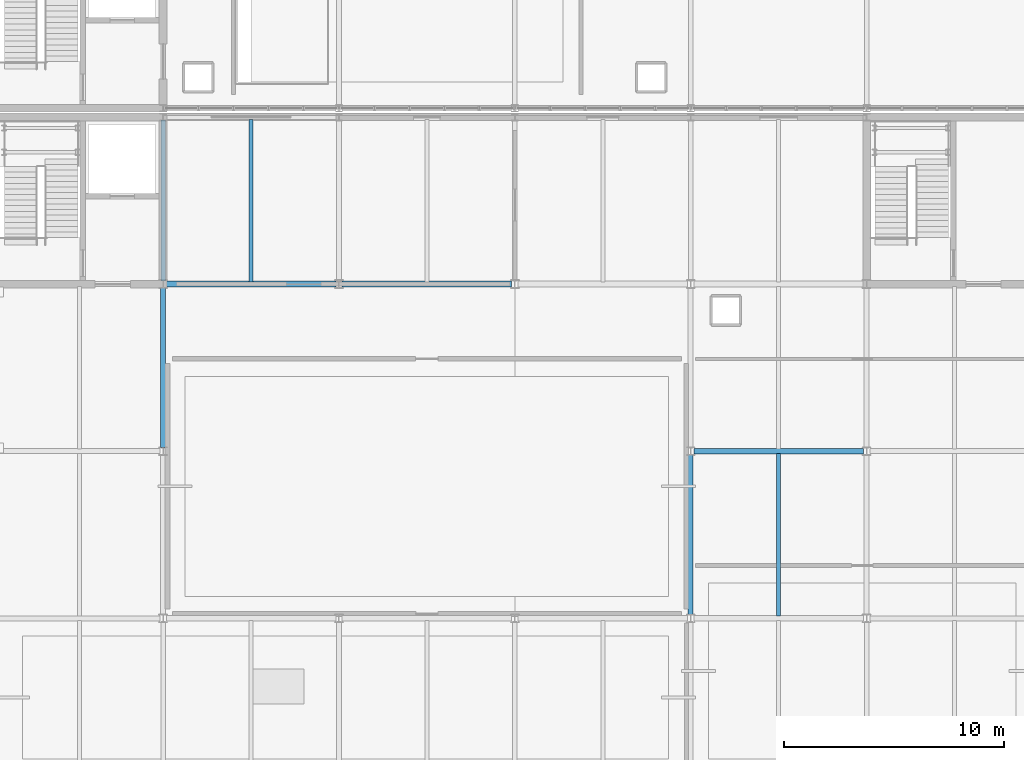
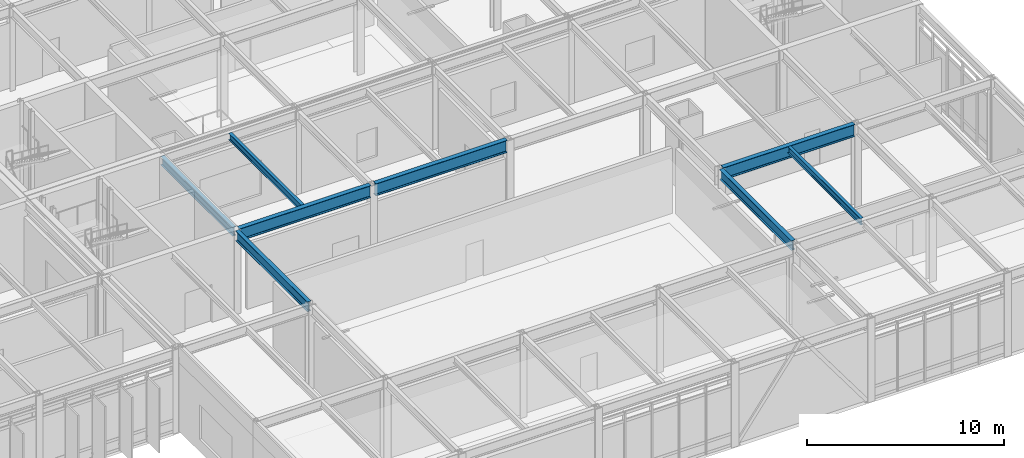
# One storey, part 54 of 94: 8 beams.
"""IFC4 building model written with IfcOpenShell, lengths in metres."""

from ifc_helpers import new_model, si_unit, direction, frame, origin, origin_2d, place, context, subcontext, project, spatial, i_section, extrude, material, material_profile, profile_set, type_object, element, save


model = new_model("IFC4")

# Units and contexts
model_context = context("Model", 3, precision=1e-05, world=origin(), true_north=direction((0.0, 1.0)))
body_context = subcontext(model_context, "Body", "Model", "MODEL_VIEW")
ifc_project = project(units=[si_unit("LENGTHUNIT", "METRE"), si_unit("AREAUNIT", "SQUARE_METRE"), si_unit("VOLUMEUNIT", "CUBIC_METRE"), si_unit("PLANEANGLEUNIT", "RADIAN"), si_unit("MASSUNIT", "GRAM", prefix="KILO")], contexts=[model_context])

# Site, building, storey
site_placement = place(None, origin())
site = spatial("IfcSite", under=ifc_project, at=site_placement, CompositionType="ELEMENT")
building_placement = place(site_placement, origin())
building = spatial("IfcBuilding", under=site, at=building_placement, Name="Zulena Civic Courthouse", CompositionType="ELEMENT")
storey_placement = place(building_placement, frame((0.0, 0.0, 5.39990234375)))
storey = spatial("IfcBuildingStorey", under=building, at=storey_placement, Name="L01", CompositionType="ELEMENT", Elevation=5.39990234375)

# Beams
ifc_material = material(Name="Steel ASTM A992 Grade 50", Category="steel")
ifc_material_profile_1 = material_profile(ifc_material, i_section(OverallWidth=0.22802734375, OverallDepth=0.60693359375, WebThickness=0.01123046875, FlangeThickness=0.017333984375, FilletRadius=0.0126953125, at=origin_2d()), Name="W24X76")
ifc_profile_set_1 = profile_set([ifc_material_profile_1], Name="Steel ASTM A992 Grade 50")
beam_type_1 = type_object("IfcBeamType", Name="Girder_W24X76", PredefinedType="BEAM", material=ifc_profile_set_1)
beam_1_placement = place(storey_placement, frame((132.0, 15.344970703125, 4.881591796875), z_axis=(0.0, 1.0, 0.0), x_axis=(-1.0, 0.0, 0.0)))
element("IfcBeam", 1, at=beam_1_placement, inside=storey, type_object=beam_type_1, Name="beam:Y:V1:L01:132.0:15.2_22.8", PredefinedType="BEAM", context=body_context, shape_type="SweptSolid", body=[
    extrude(i_section(OverallWidth=0.22802734375, OverallDepth=0.60693359375, WebThickness=0.01123046875, FlangeThickness=0.017333984375, FilletRadius=0.0126953125, at=origin_2d()), origin(), (0.0, 0.0, 1.0), 7.31005859375),
])
beam_2_placement = place(storey_placement, frame((156.0, 7.7451171875, 4.881591796875), z_axis=(0.0, 1.0, 0.0), x_axis=(-1.0, 0.0, 0.0)))
element("IfcBeam", 2, at=beam_2_placement, inside=storey, type_object=beam_type_1, Name="beam:Y:V1:L01:156.0:7.6_15.2", PredefinedType="BEAM", context=body_context, shape_type="SweptSolid", body=[
    extrude(i_section(OverallWidth=0.22802734375, OverallDepth=0.60693359375, WebThickness=0.01123046875, FlangeThickness=0.017333984375, FilletRadius=0.0126953125, at=origin_2d()), origin(), (0.0, 0.0, 1.0), 7.309814453125),
])
ifc_material_profile_2 = material_profile(ifc_material, i_section(OverallWidth=0.26708984375, OverallDepth=0.761962890625, WebThickness=0.014404296875, FlangeThickness=0.021484375, FilletRadius=0.0166015625, at=origin_2d()), Name="W30X116")
ifc_profile_set_2 = profile_set([ifc_material_profile_2], Name="Steel ASTM A992 Grade 50")
beam_type_2 = type_object("IfcBeamType", Name="Girder_W30X116", PredefinedType="BEAM", material=ifc_profile_set_2)
for number, where, z_axis, x_axis, name in (
    (3, (156.14501953125, 15.199951171875, 4.80419921875), (1.0, 0.0, 0.0), (0.0, 1.0, 0.0), "beam:X:V1:L01:15.2:156.0_164.0"),
    (4, (132.14501953125, 22.800048828125, 4.80419921875), (1.0, 0.0, 0.0), (0.0, 1.0, 0.0), "beam:X:V1:L01:22.8:132.0_140.0"),
    (5, (140.14501953125, 22.800048828125, 4.80419921875), (1.0, 0.0, 0.0), (0.0, 1.0, 0.0), "beam:X:V1:L01:22.8:140.0_148.0"),
):
    element("IfcBeam", number, at=place(storey_placement, frame(where, z_axis=z_axis, x_axis=x_axis)), inside=storey, type_object=beam_type_2, Name=name, PredefinedType="BEAM", context=body_context, shape_type="SweptSolid", body=[
        extrude(i_section(OverallWidth=0.26708984375, OverallDepth=0.761962890625, WebThickness=0.014404296875, FlangeThickness=0.021484375, FilletRadius=0.0166015625, at=origin_2d()), origin(), (0.0, 0.0, 1.0), 7.7099609375),
    ])
ifc_material_profile_3 = material_profile(ifc_material, i_section(OverallWidth=0.180908203125, OverallDepth=0.4169921875, WebThickness=0.010986328125, FlangeThickness=0.018310546875, FilletRadius=0.01025390625, at=origin_2d()), Name="W16X57")
ifc_profile_set_3 = profile_set([ifc_material_profile_3], Name="Steel ASTM A992 Grade 50")
beam_type_3 = type_object("IfcBeamType", Name="Joist_W16X57", PredefinedType="JOIST", material=ifc_profile_set_3)
for number, where, z_axis, x_axis, name in (
    (6, (136.0, 22.905029296875, 4.9765625), (0.0, 1.0, 0.0), (-1.0, 0.0, 0.0), "joist:V1:L01:136.00:22.8_30.4"),
    (7, (160.0, 7.705078125, 4.9765625), (0.0, 1.0, 0.0), (-1.0, 0.0, 0.0), "joist:V1:L01:160.00:7.6_15.2"),
):
    element("IfcBeam", number, at=place(storey_placement, frame(where, z_axis=z_axis, x_axis=x_axis)), inside=storey, type_object=beam_type_3, Name=name, PredefinedType="JOIST", context=body_context, shape_type="SweptSolid", body=[
        extrude(i_section(OverallWidth=0.180908203125, OverallDepth=0.4169921875, WebThickness=0.010986328125, FlangeThickness=0.018310546875, FilletRadius=0.01025390625, at=origin_2d()), origin(), (0.0, 0.0, 1.0), 7.389892578125),
    ])
ifc_material_profile_4 = material_profile(ifc_material, i_section(OverallWidth=0.2099609375, OverallDepth=0.537109375, WebThickness=0.010986328125, FlangeThickness=0.017333984375, FilletRadius=0.0126953125, at=origin_2d()), Name="W21X68")
ifc_profile_set_4 = profile_set([ifc_material_profile_4], Name="Steel ASTM A992 Grade 50")
beam_type_4 = type_object("IfcBeamType", Name="Spandrel_W21X68", PredefinedType="SPANDREL", material=ifc_profile_set_4)
beam_3_placement = place(storey_placement, frame((132.0, 22.945068359375, 4.91650390625), z_axis=(0.0, 1.0, 0.0), x_axis=(-1.0, 0.0, 0.0)))
element("IfcBeam", 8, at=beam_3_placement, inside=storey, type_object=beam_type_4, Name="beam:Y:V1:L01:132.0:22.8_30.4", PredefinedType="SPANDREL", context=body_context, shape_type="SweptSolid", body=[
    extrude(i_section(OverallWidth=0.2099609375, OverallDepth=0.537109375, WebThickness=0.010986328125, FlangeThickness=0.017333984375, FilletRadius=0.0126953125, at=origin_2d()), origin(), (0.0, 0.0, 1.0), 7.309814453125),
])

save(model, "model.ifc")
